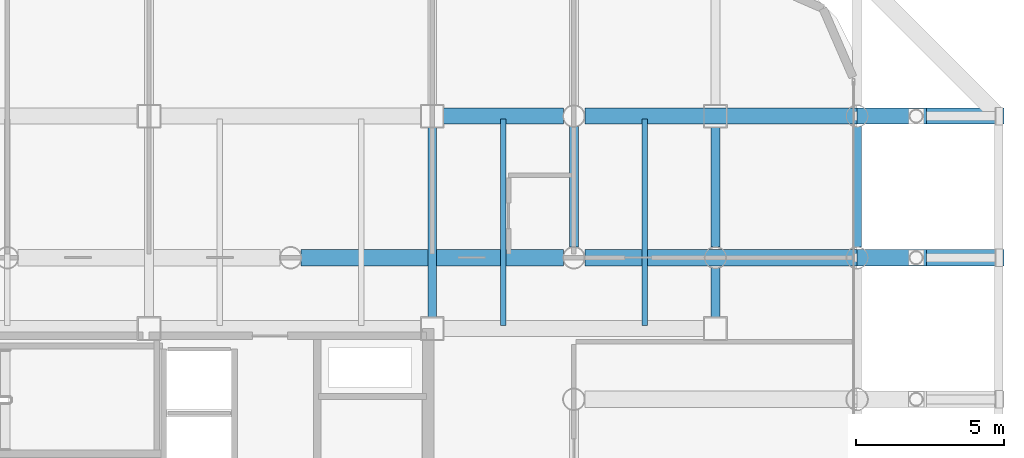
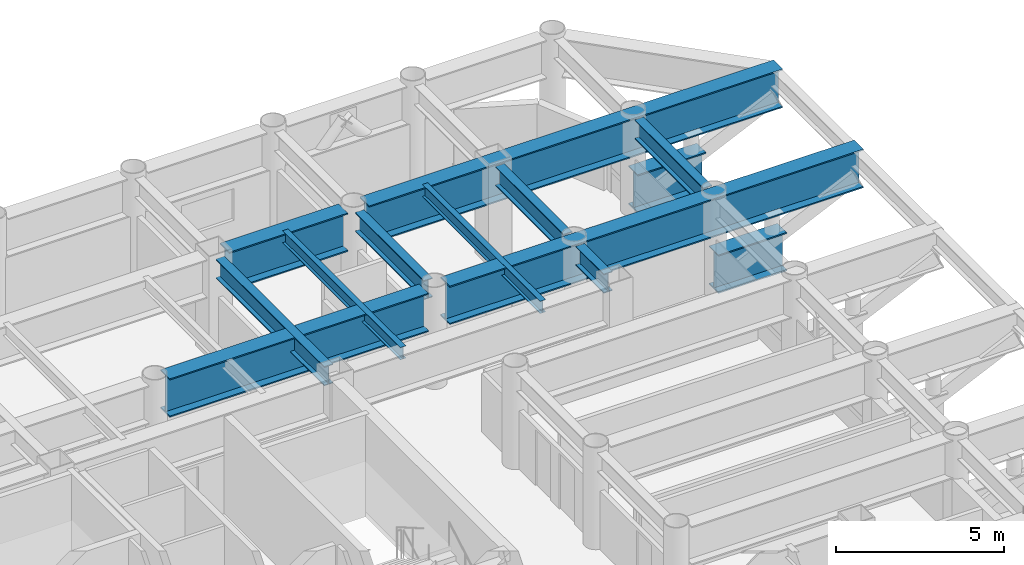
# One storey, part 16 of 26: 13 beams.
"""IFC4 building model written with IfcOpenShell, lengths in metres."""

from ifc_helpers import new_model, si_unit, direction, frame, origin, origin_2d, place, context, subcontext, project, spatial, i_section, extrude, material, material_profile, profile_set, type_object, element, save


model = new_model("IFC4")

# Units and contexts
model_context = context("Model", 3, precision=1e-05, world=origin(), true_north=direction((0.0, 1.0)))
body_context = subcontext(model_context, "Body", "Model", "MODEL_VIEW")
ifc_project = project(units=[si_unit("LENGTHUNIT", "METRE"), si_unit("AREAUNIT", "SQUARE_METRE"), si_unit("VOLUMEUNIT", "CUBIC_METRE"), si_unit("PLANEANGLEUNIT", "RADIAN"), si_unit("MASSUNIT", "GRAM", prefix="KILO")], contexts=[model_context])

# Site, building, storey
site_placement = place(None, origin())
site = spatial("IfcSite", under=ifc_project, at=site_placement, CompositionType="ELEMENT")
building_placement = place(site_placement, origin())
building = spatial("IfcBuilding", under=site, at=building_placement, Name="Kallvorn Hotel Tower", CompositionType="ELEMENT")
storey_placement = place(building_placement, frame((0.0, 0.0, 55.89990234375)))
storey = spatial("IfcBuildingStorey", under=building, at=storey_placement, Name="L12", CompositionType="ELEMENT", Elevation=55.89990234375)

# Beams
ifc_material_1 = material(Name="Structural steel S355JR", Category="steel")
ifc_material_profile_1 = material_profile(ifc_material_1, i_section(OverallWidth=0.300048828125, OverallDepth=0.699951171875, WebThickness=0.01708984375, FlangeThickness=0.031982421875, at=origin_2d()), Name="HE 700 B")
ifc_profile_set_1 = profile_set([ifc_material_profile_1], Name="Structural steel S355JR")
beam_type_1 = type_object("IfcBeamType", Name="BM_HE700B", PredefinedType="BEAM", material=ifc_profile_set_1)
beam_1_placement = place(storey_placement, frame((14.39990234375, 7.574951171875, 3.170166015625), z_axis=(0.0, 1.0, 0.0), x_axis=(-1.0, 0.0, 0.0)))
element("IfcBeam", 1, at=beam_1_placement, inside=storey, type_object=beam_type_1, Name="L13 Primary Y-Girder 134", PredefinedType="BEAM", context=body_context, shape_type="SweptSolid", body=[
    extrude(i_section(OverallWidth=0.300048828125, OverallDepth=0.699951171875, WebThickness=0.01708984375, FlangeThickness=0.031982421875, at=origin_2d()), origin(), (0.0, 0.0, 1.0), 6.449951171875),
])
beam_2_placement = place(storey_placement, frame((19.199951171875, 9.9560546875, 3.170166015625), z_axis=(0.0, 1.0, 0.0), x_axis=(-1.0, 0.0, 0.0)))
element("IfcBeam", 2, at=beam_2_placement, inside=storey, type_object=beam_type_1, Name="L13 Primary Y-Girder 143", PredefinedType="BEAM", context=body_context, shape_type="SweptSolid", body=[
    extrude(i_section(OverallWidth=0.300048828125, OverallDepth=0.699951171875, WebThickness=0.01708984375, FlangeThickness=0.031982421875, at=origin_2d()), origin(), (0.0, 0.0, 1.0), 4.087890625),
])
beam_3_placement = place(storey_placement, frame((24.0, 7.574951171875, 3.170166015625), z_axis=(0.0, 1.0, 0.0), x_axis=(-1.0, 0.0, 0.0)))
element("IfcBeam", 3, at=beam_3_placement, inside=storey, type_object=beam_type_1, Name="L13 Primary Y-Girder 149", PredefinedType="BEAM", context=body_context, shape_type="SweptSolid", body=[
    extrude(i_section(OverallWidth=0.300048828125, OverallDepth=0.699951171875, WebThickness=0.01708984375, FlangeThickness=0.031982421875, at=origin_2d()), origin(), (0.0, 0.0, 1.0), 1.6689453125),
])
beam_4_placement = place(storey_placement, frame((24.0, 9.9560546875, 3.170166015625), z_axis=(0.0, 1.0, 0.0), x_axis=(-1.0, 0.0, 0.0)))
element("IfcBeam", 4, at=beam_4_placement, inside=storey, type_object=beam_type_1, Name="L13 Primary Y-Girder 150", PredefinedType="BEAM", context=body_context, shape_type="SweptSolid", body=[
    extrude(i_section(OverallWidth=0.300048828125, OverallDepth=0.699951171875, WebThickness=0.01708984375, FlangeThickness=0.031982421875, at=origin_2d()), origin(), (0.0, 0.0, 1.0), 4.06884765625),
])
beam_5_placement = place(storey_placement, frame((28.800048828125, 9.9560546875, 3.170166015625), z_axis=(0.0, 1.0, 0.0), x_axis=(-1.0, 0.0, 0.0)))
element("IfcBeam", 5, at=beam_5_placement, inside=storey, type_object=beam_type_1, Name="L13 Primary Y-Girder 158", PredefinedType="BEAM", context=body_context, shape_type="SweptSolid", body=[
    extrude(i_section(OverallWidth=0.300048828125, OverallDepth=0.699951171875, WebThickness=0.01708984375, FlangeThickness=0.031982421875, at=origin_2d()), origin(), (0.0, 0.0, 1.0), 4.087890625),
])
ifc_material_2 = material(Name="Structural steel S355JR", Category="steel")
ifc_material_profile_2 = material_profile(ifc_material_2, i_section(OverallWidth=0.18994140625, OverallDepth=0.449951171875, WebThickness=0.009521484375, FlangeThickness=0.0146484375, at=origin_2d()), Name="IPE 450")
ifc_profile_set_2 = profile_set([ifc_material_profile_2], Name="Structural steel S355JR")
beam_type_2 = type_object("IfcBeamType", Name="BM_IPE450", PredefinedType="JOIST", material=ifc_profile_set_2)
for number, where, z_axis, x_axis, name in (
    (6, (16.800048828125, 7.300048828125, 3.295166015625), (0.0, 1.0, 0.0), (-1.0, 0.0, 0.0), "L13 Secondary Composite Joist 216"),
    (7, (21.60009765625, 7.300048828125, 3.295166015625), (0.0, 1.0, 0.0), (-1.0, 0.0, 0.0), "L13 Secondary Composite Joist 218"),
):
    element("IfcBeam", number, at=place(storey_placement, frame(where, z_axis=z_axis, x_axis=x_axis)), inside=storey, type_object=beam_type_2, Name=name, PredefinedType="JOIST", context=body_context, shape_type="SweptSolid", body=[
        extrude(i_section(OverallWidth=0.18994140625, OverallDepth=0.449951171875, WebThickness=0.009521484375, FlangeThickness=0.0146484375, at=origin_2d()), origin(), (0.0, 0.0, 1.0), 7.0),
    ])
ifc_material_3 = material(Name="Structural steel S355JR", Category="steel")
ifc_material_profile_3 = material_profile(ifc_material_3, i_section(OverallWidth=0.550048828125, OverallDepth=1.39990234375, WebThickness=0.02490234375, FlangeThickness=0.044921875, at=origin_2d()), Name="PG 1400x550x25x45")
ifc_profile_set_3 = profile_set([ifc_material_profile_3], Name="Structural steel S355JR")
beam_type_3 = type_object("IfcBeamType", Name="BM_PG_1400", PredefinedType="BEAM", material=ifc_profile_set_3)
beam_6_placement = place(storey_placement, frame((19.571044921875, 9.60009765625, 2.820068359375), z_axis=(1.0, 0.0, 0.0), x_axis=(0.0, 1.0, 0.0)))
element("IfcBeam", 8, at=beam_6_placement, inside=storey, type_object=beam_type_3, Name="L13 Continuous Cantilever Transfer Girder 08", PredefinedType="BEAM", context=body_context, shape_type="SweptSolid", body=[
    extrude(i_section(OverallWidth=0.550048828125, OverallDepth=1.39990234375, WebThickness=0.02490234375, FlangeThickness=0.044921875, at=origin_2d()), origin(), (0.0, 0.0, 1.0), 14.208984375),
])
beam_7_placement = place(storey_placement, frame((28.800048828125, 9.60009765625, 0.72021484375), z_axis=(1.0, 0.0, 0.0), x_axis=(0.0, 1.0, 0.0)))
element("IfcBeam", 9, at=beam_7_placement, inside=storey, type_object=beam_type_3, Name="L13 Cantilever Haunch Corbel 08", PredefinedType="BEAM", context=body_context, shape_type="SweptSolid", body=[
    extrude(i_section(OverallWidth=0.550048828125, OverallDepth=1.39990234375, WebThickness=0.02490234375, FlangeThickness=0.044921875, at=origin_2d()), origin(), (0.0, 0.0, 1.0), 2.349853515625),
])
beam_8_placement = place(storey_placement, frame((19.571044921875, 14.39990234375, 2.820068359375), z_axis=(1.0, 0.0, 0.0), x_axis=(0.0, 1.0, 0.0)))
element("IfcBeam", 10, at=beam_8_placement, inside=storey, type_object=beam_type_3, Name="L13 Continuous Cantilever Transfer Girder 09", PredefinedType="BEAM", context=body_context, shape_type="SweptSolid", body=[
    extrude(i_section(OverallWidth=0.550048828125, OverallDepth=1.39990234375, WebThickness=0.02490234375, FlangeThickness=0.044921875, at=origin_2d()), origin(), (0.0, 0.0, 1.0), 14.208984375),
])
beam_9_placement = place(storey_placement, frame((28.800048828125, 14.39990234375, 0.72021484375), z_axis=(1.0, 0.0, 0.0), x_axis=(0.0, 1.0, 0.0)))
element("IfcBeam", 11, at=beam_9_placement, inside=storey, type_object=beam_type_3, Name="L13 Cantilever Haunch Corbel 09", PredefinedType="BEAM", context=body_context, shape_type="SweptSolid", body=[
    extrude(i_section(OverallWidth=0.550048828125, OverallDepth=1.39990234375, WebThickness=0.02490234375, FlangeThickness=0.044921875, at=origin_2d()), origin(), (0.0, 0.0, 1.0), 2.349853515625),
])
beam_10_placement = place(storey_placement, frame((9.9560546875, 9.60009765625, 2.820068359375), z_axis=(1.0, 0.0, 0.0), x_axis=(0.0, 1.0, 0.0)))
element("IfcBeam", 12, at=beam_10_placement, inside=storey, type_object=beam_type_3, Name="L13 Primary X-Girder 57", PredefinedType="BEAM", context=body_context, shape_type="SweptSolid", body=[
    extrude(i_section(OverallWidth=0.550048828125, OverallDepth=1.39990234375, WebThickness=0.02490234375, FlangeThickness=0.044921875, at=origin_2d()), origin(), (0.0, 0.0, 1.0), 8.887939453125),
])
beam_11_placement = place(storey_placement, frame((14.77490234375, 14.39990234375, 2.820068359375), z_axis=(1.0, 0.0, 0.0), x_axis=(0.0, 1.0, 0.0)))
element("IfcBeam", 13, at=beam_11_placement, inside=storey, type_object=beam_type_3, Name="L13 Primary X-Girder 67", PredefinedType="BEAM", context=body_context, shape_type="SweptSolid", body=[
    extrude(i_section(OverallWidth=0.550048828125, OverallDepth=1.39990234375, WebThickness=0.02490234375, FlangeThickness=0.044921875, at=origin_2d()), origin(), (0.0, 0.0, 1.0), 4.069091796875),
])

save(model, "model.ifc")
